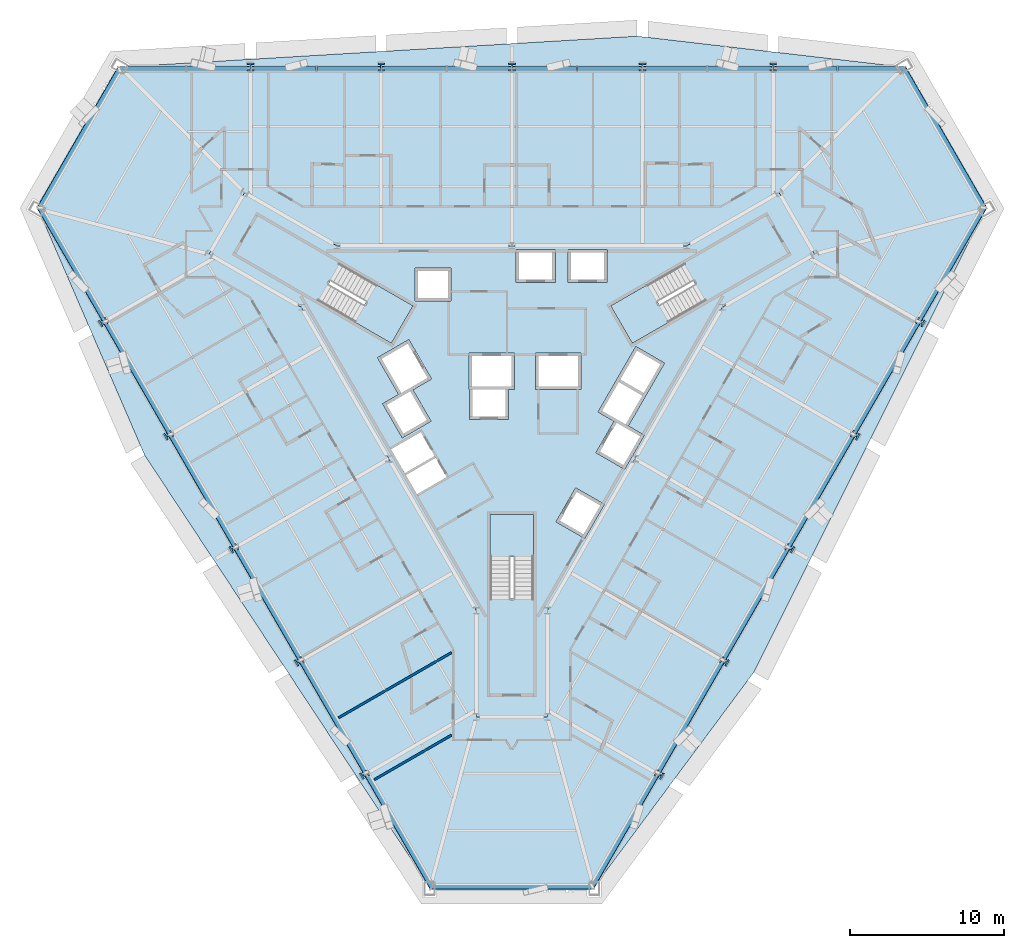
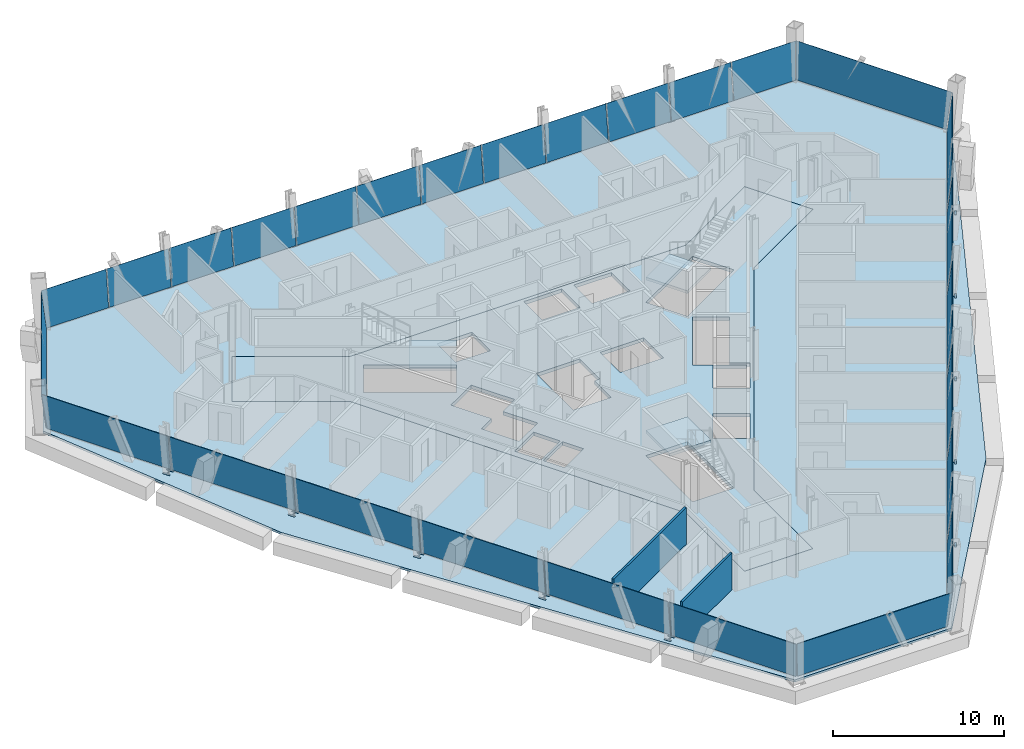
# One storey, part 7 of 15: 27 plates, 15 members, 5 slabs, 2 walls, 9 elements without a shape of their own.
"""IFC4 building model written with IfcOpenShell, lengths in metres."""

from ifc_helpers import new_model, si_unit, direction, frame, frame_2d, origin, origin_2d, place, context, subcontext, project, spatial, polyline, rectangle, i_section, outline, extrude, material, layer, layer_set, material_profile, profile_set, type_object, element, aggregate, save


model = new_model("IFC4")

# Units and contexts
model_context = context("Model", 3, precision=1e-05, world=origin(), true_north=direction((0.0, 1.0)))
body_context = subcontext(model_context, "Body", "Model", "MODEL_VIEW")
ifc_project = project(units=[si_unit("LENGTHUNIT", "METRE"), si_unit("AREAUNIT", "SQUARE_METRE"), si_unit("VOLUMEUNIT", "CUBIC_METRE"), si_unit("PLANEANGLEUNIT", "RADIAN"), si_unit("MASSUNIT", "GRAM", prefix="KILO")], contexts=[model_context])

# Site, building, storey
site_placement = place(None, origin())
site = spatial("IfcSite", under=ifc_project, at=site_placement, CompositionType="ELEMENT")
building_placement = place(site_placement, origin())
building = spatial("IfcBuilding", under=site, at=building_placement, Name="Verrane Prism Tower", CompositionType="ELEMENT")
storey_placement = place(building_placement, frame((0.0, 0.0, 44.0)))
storey = spatial("IfcBuildingStorey", under=building, at=storey_placement, Name="L08", CompositionType="ELEMENT", Elevation=44.0)

# Members
ifc_material_1 = material(Name="Steel A992", Category="steel")
ifc_material_profile = material_profile(ifc_material_1, i_section(OverallWidth=0.44189453125, OverallDepth=0.53076171875, WebThickness=0.06591796875, FlangeThickness=0.105712890625, FilletRadius=0.01513671875, at=origin_2d()), Name="W14x605")
ifc_profile_set = profile_set([ifc_material_profile], Name="Steel A992")
member_type = type_object("IfcMemberType", Name="Kink node W14x605", PredefinedType="COLLAR", material=ifc_profile_set)
for number, where, z_axis, x_axis, name in (
    (1, (16.92041015625, 20.77099609375, -0.02490234375), (0.0, 0.0, 1.0), (1.0, 0.0, 0.0), "Kink node PC2 L08"),
    (2, (8.460205078125, 20.77099609375, -0.02490234375), (0.0, 0.0, 1.0), (1.0, 0.0, 0.0), "Kink node PC2 L08"),
    (3, (0.0, 20.77099609375, -0.02490234375), (0.0, 0.0, 1.0), (1.0, 0.0, 0.0), "Kink node PC2 L08"),
    (4, (-8.460205078125, 20.77099609375, -0.02490234375), (0.0, 0.0, 1.0), (1.0, 0.0, 0.0), "Kink node PC2 L08"),
    (5, (-16.92041015625, 20.77099609375, -0.02490234375), (0.0, 0.0, 1.0), (1.0, 0.0, 0.0), "Kink node PC2 L08"),
    (6, (9.53076171875, -25.040771484375, -0.02490234375), (0.0, 0.0, 1.0), (-0.5, -0.866025403784, 0.0), "Kink node PC2 L08"),
    (7, (13.7607421875, -17.710693359375, -0.02490234375), (0.0, 0.0, 1.0), (-0.5, -0.866025403784, 0.0), "Kink node PC2 L08"),
    (8, (17.990966796875, -10.380615234375, -0.02490234375), (0.0, 0.0, 1.0), (-0.5, -0.866025403784, 0.0), "Kink node PC2 L08"),
    (9, (22.220947265625, -3.060302734375, -0.02490234375), (0.0, 0.0, 1.0), (-0.5, -0.866025403784, 0.0), "Kink node PC2 L08"),
    (10, (26.451171875, 4.269775390625, -0.02490234375), (0.0, 0.0, 1.0), (-0.5, -0.866025403784, 0.0), "Kink node PC2 L08"),
    (11, (-26.451171875, 4.269775390625, -0.02490234375), (0.0, 0.0, 1.0), (-0.5, 0.866025403784, 0.0), "Kink node PC2 L08"),
    (12, (-22.220947265625, -3.060302734375, -0.02490234375), (0.0, 0.0, 1.0), (-0.5, 0.866025403784, 0.0), "Kink node PC2 L08"),
    (13, (-17.990966796875, -10.380615234375, -0.02490234375), (0.0, 0.0, 1.0), (-0.5, 0.866025403784, 0.0), "Kink node PC2 L08"),
    (14, (-13.7607421875, -17.710693359375, -0.02490234375), (0.0, 0.0, 1.0), (-0.5, 0.866025403784, 0.0), "Kink node PC2 L08"),
    (15, (-9.53076171875, -25.040771484375, -0.02490234375), (0.0, 0.0, 1.0), (-0.5, 0.866025403784, 0.0), "Kink node PC2 L08"),
):
    element("IfcMember", number, at=place(storey_placement, frame(where, z_axis=z_axis, x_axis=x_axis)), inside=storey, type_object=member_type, Name=name, PredefinedType="COLLAR", context=body_context, shape_type="SweptSolid", body=[
        extrude(i_section(OverallWidth=0.44189453125, OverallDepth=0.53076171875, WebThickness=0.06591796875, FlangeThickness=0.105712890625, FilletRadius=0.01513671875, at=origin_2d()), origin(), (0.0, 0.0, 1.0), 0.0498046875),
    ])

# Slabs
ifc_material_2 = material(Name="Concrete C35/45", Category="concrete")
ifc_layer_1 = layer(ifc_material_2, 0.159912109375)
ifc_layer_set_1 = layer_set([ifc_layer_1], Name="Composite floor slab")
slab_type_1 = type_object("IfcSlabType", Name="Composite floor slab", PredefinedType="FLOOR", material=ifc_layer_set_1)
slab_1_placement = place(storey_placement, frame((0.0, 0.0, -0.159912109375)))
element("IfcSlab", 16, at=slab_1_placement, inside=storey, type_object=slab_type_1, Name="Floor slab L08", PredefinedType="FLOOR", context=body_context, shape_type="SweptSolid", body=[
    extrude(outline(polyline([(15.659423828125, -18.4169921875), (5.300048828125, -32.360107421875), (-5.300048828125, -32.360107421875), (-23.779296875, -4.35302734375), (-30.6748046875, 11.590087890625), (-25.374755859375, 20.77001953125), (8.119873046875, 22.77001953125), (25.374755859375, 20.77001953125), (30.6748046875, 11.590087890625), (15.659423828125, -18.4169921875)]), holes=[polyline([(19.60009765625, 8.659912109375), (17.300048828125, 12.639892578125), (11.330078125, 9.199951171875), (0.0, 9.199951171875), (-11.330078125, 9.199951171875), (-17.300048828125, 12.639892578125), (-19.60009765625, 8.659912109375), (-13.6298828125, 5.219970703125), (-7.969970703125, -4.60009765625), (-2.300048828125, -14.419921875), (-2.300048828125, -21.300048828125), (2.300048828125, -21.300048828125), (2.300048828125, -14.419921875), (7.969970703125, -4.60009765625), (13.6298828125, 5.219970703125), (19.60009765625, 8.659912109375)])]), origin(), (0.0, 0.0, 1.0), 0.159912109375),
])
ifc_material_3 = material(Name="Concrete C40/50", Category="concrete")
ifc_layer_2 = layer(ifc_material_3, 0.25)
ifc_layer_set_2 = layer_set([ifc_layer_2], Name="Core floor slab 250 concrete C40/50")
slab_type_2 = type_object("IfcSlabType", Name="Core floor slab 250 concrete C40/50", PredefinedType="FLOOR", material=ifc_layer_set_2)
slab_2_placement = place(storey_placement, frame((0.0, 0.0, -0.25)))
element("IfcSlab", 17, at=slab_2_placement, inside=storey, type_object=slab_type_2, Name="Core floor L08", PredefinedType="FLOOR", context=body_context, shape_type="SweptSolid", body=[
    extrude(outline(polyline([(13.6298828125, 5.219970703125), (19.60009765625, 8.659912109375), (17.300048828125, 12.639892578125), (11.330078125, 9.199951171875), (0.0, 9.199951171875), (-11.330078125, 9.199951171875), (-17.300048828125, 12.639892578125), (-19.60009765625, 8.659912109375), (-13.6298828125, 5.219970703125), (-7.969970703125, -4.60009765625), (-2.300048828125, -14.419921875), (-2.300048828125, -21.300048828125), (2.300048828125, -21.300048828125), (2.300048828125, -14.419921875), (7.969970703125, -4.60009765625), (13.6298828125, 5.219970703125)]), holes=[polyline([(1.39990234375, -8.199951171875), (1.39990234375, -13.639892578125), (-1.39990234375, -13.639892578125), (-1.39990234375, -8.199951171875), (1.39990234375, -8.199951171875)]), polyline([(-4.215087890625, -5.77099609375), (-6.14208984375, -6.883056640625), (-6.85400390625, -5.64599609375), (-4.928955078125, -4.533935546875), (-4.215087890625, -5.77099609375)]), polyline([(-5.0029296875, -4.404052734375), (-6.929931640625, -5.51708984375), (-7.819091796875, -3.97705078125), (-5.89306640625, -2.864013671875), (-5.0029296875, -4.404052734375)]), polyline([(0.1650390625, 2.25), (0.1650390625, -0.10009765625), (-0.205078125, -0.10009765625), (-0.205078125, -2.050048828125), (-2.7548828125, -2.050048828125), (-2.7548828125, -0.10009765625), (-2.784912109375, -0.10009765625), (-2.784912109375, 2.25), (0.1650390625, 2.25)]), polyline([(-12.512939453125, 5.60791015625), (-11.113037109375, 8.031982421875), (-6.40087890625, 5.31201171875), (-7.801025390625, 2.887939453125), (-12.512939453125, 5.60791015625)]), polyline([(-6.284912109375, 5.610107421875), (-6.284912109375, 7.760009765625), (-3.93505859375, 7.760009765625), (-3.93505859375, 5.610107421875), (-6.284912109375, 5.610107421875)]), polyline([(4.717041015625, -9.75), (2.85498046875, -8.675048828125), (4.1298828125, -6.466064453125), (5.991943359375, -7.541015625), (4.717041015625, -9.75)]), polyline([(8.303955078125, -3.136962890625), (5.575927734375, -1.56201171875), (8.02587890625, 2.680908203125), (9.887939453125, 1.60595703125), (7.5380859375, -2.464111328125), (8.576904296875, -3.06396484375), (7.302001953125, -5.27197265625), (5.43994140625, -4.197021484375), (6.614990234375, -2.162109375), (8.303955078125, -3.136962890625)]), polyline([(1.52490234375, -0.10009765625), (1.52490234375, 2.25), (4.47509765625, 2.25), (4.47509765625, -0.10009765625), (1.52490234375, -0.10009765625)]), polyline([(6.40087890625, 5.31201171875), (11.113037109375, 8.031982421875), (12.512939453125, 5.60791015625), (7.801025390625, 2.887939453125), (6.40087890625, 5.31201171875)]), polyline([(0.264892578125, 6.81005859375), (0.264892578125, 8.9599609375), (2.81494140625, 8.9599609375), (2.81494140625, 6.81005859375), (0.264892578125, 6.81005859375)]), polyline([(3.625, 6.81005859375), (3.625, 8.9599609375), (6.175048828125, 8.9599609375), (6.175048828125, 6.81005859375), (3.625, 6.81005859375)]), polyline([(-5.23095703125, -2.159912109375), (-7.093017578125, -3.235107421875), (-8.367919921875, -1.02587890625), (-7.3291015625, -0.426025390625), (-8.7041015625, 1.955078125), (-6.66796875, 3.1298828125), (-5.193115234375, 0.574951171875), (-6.406005859375, -0.125), (-5.23095703125, -2.159912109375)])]), origin(), (0.0, 0.0, 1.0), 0.25),
])

# Curtain wall, plates
ifc_material_4 = material(Name="Aluminium framed insulated glazing", Category="aluminium")
curtain_wall_type_1 = type_object("IfcCurtainWallType", Name="Curtain wall CW-C 4200 module", PredefinedType="NOTDEFINED", material=ifc_material_4)
curtain_wall_1_placement = place(storey_placement, origin())
curtain_wall_1 = element("IfcCurtainWall", 18, at=curtain_wall_1_placement, inside=storey, type_object=curtain_wall_type_1, Name="Glazed curtain wall north face L08", PredefinedType="NOTDEFINED")
ifc_material_5 = material(Name="Low-iron insulating glass unit", Category="glass")
ifc_layer_3 = layer(ifc_material_5, 0.02392578125)
ifc_layer_set_3 = layer_set([ifc_layer_3], Name="Glazing panel IGU 24")
plate_type_1 = type_object("IfcPlateType", Name="Glazing panel IGU 24", PredefinedType="CURTAIN_PANEL", material=ifc_layer_set_3)
plate_1_placement = place(storey_placement, frame((25.251708984375, 20.490966796875, 0.050048828125), z_axis=(0.0, -0.993215681756, 0.116286755538), x_axis=(-1.0, 0.0, 0.0)))
plate_1 = element("IfcPlate", 19, at=plate_1_placement, type_object=plate_type_1, Name="CW06.2 panel 1", PredefinedType="CURTAIN_PANEL", context=body_context, shape_type="SweptSolid", body=[
    extrude(outline(polyline([(0.0, 0.0), (4.14208984375, 0.0), (4.14208984375, -2.5802493735232175), (-0.198486328125, -2.5802493735232175), (0.0, 0.0)])), origin(), (0.0, 0.0, -1.0), 0.02392578125),
])
plate_2_placement = place(storey_placement, frame((21.0595703125, 20.490966796875, 0.050048828125), z_axis=(0.0, -0.993215681756, 0.116286755538), x_axis=(-1.0, 0.0, 0.0)))
plate_2 = element("IfcPlate", 20, at=plate_2_placement, type_object=plate_type_1, Name="CW06.2 panel 2", PredefinedType="CURTAIN_PANEL", context=body_context, shape_type="SweptSolid", body=[
    extrude(outline(polyline([(0.0, 0.0), (4.166748046875, 0.0), (4.166748046875, -2.5802493735232175), (0.0, -2.5802493735232175), (0.0, 0.0)])), origin(), (0.0, 0.0, -1.0), 0.02392578125),
])
plate_3_placement = place(storey_placement, frame((16.8427734375, 20.490966796875, 0.050048828125), z_axis=(0.0, -0.993215681756, 0.116286755538), x_axis=(-1.0, 0.0, 0.0)))
plate_3 = element("IfcPlate", 21, at=plate_3_placement, type_object=plate_type_1, Name="CW06.2 panel 3", PredefinedType="CURTAIN_PANEL", context=body_context, shape_type="SweptSolid", body=[
    extrude(outline(polyline([(0.0, 0.0), (4.1669921875, 0.0), (4.1669921875, -2.5802493735232175), (0.0, -2.5802493735232175), (0.0, 0.0)])), origin(), (0.0, 0.0, -1.0), 0.02392578125),
])
plate_4_placement = place(storey_placement, frame((12.625732421875, 20.490966796875, 0.050048828125), z_axis=(0.0, -0.993215681756, 0.116286755538), x_axis=(-1.0, 0.0, 0.0)))
plate_4 = element("IfcPlate", 22, at=plate_4_placement, type_object=plate_type_1, Name="CW06.2 panel 4", PredefinedType="CURTAIN_PANEL", context=body_context, shape_type="SweptSolid", body=[
    extrude(outline(polyline([(0.0, 0.0), (4.166748046875, 0.0), (4.166748046875, -2.5802493735232175), (0.0, -2.5802493735232175), (0.0, 0.0)])), origin(), (0.0, 0.0, -1.0), 0.02392578125),
])
plate_5_placement = place(storey_placement, frame((8.408935546875, 20.490966796875, 0.050048828125), z_axis=(0.0, -0.993215681756, 0.116286755538), x_axis=(-1.0, 0.0, 0.0)))
plate_5 = element("IfcPlate", 23, at=plate_5_placement, type_object=plate_type_1, Name="CW06.2 panel 5", PredefinedType="CURTAIN_PANEL", context=body_context, shape_type="SweptSolid", body=[
    extrude(outline(polyline([(0.0, 0.0), (4.1669921875, 0.0), (4.1669921875, -2.5802493735232175), (0.0, -2.5802493735232175), (0.0, 0.0)])), origin(), (0.0, 0.0, -1.0), 0.02392578125),
])
plate_6_placement = place(storey_placement, frame((4.19189453125, 20.490966796875, 0.050048828125), z_axis=(0.0, -0.993215681756, 0.116286755538), x_axis=(-1.0, 0.0, 0.0)))
plate_6 = element("IfcPlate", 24, at=plate_6_placement, type_object=plate_type_1, Name="CW06.2 panel 6", PredefinedType="CURTAIN_PANEL", context=body_context, shape_type="SweptSolid", body=[
    extrude(outline(polyline([(0.0, 0.0), (4.1669921875, 0.0), (4.1669921875, -2.5802493735232175), (0.0, -2.5802493735232175), (0.0, 0.0)])), origin(), (0.0, 0.0, -1.0), 0.02392578125),
])
plate_7_placement = place(storey_placement, frame((-0.02490234375, 20.490966796875, 0.050048828125), z_axis=(0.0, -0.993215681756, 0.116286755538), x_axis=(-1.0, 0.0, 0.0)))
plate_7 = element("IfcPlate", 25, at=plate_7_placement, type_object=plate_type_1, Name="CW06.2 panel 7", PredefinedType="CURTAIN_PANEL", context=body_context, shape_type="SweptSolid", body=[
    extrude(outline(polyline([(0.0, 0.0), (4.1669921875, 0.0), (4.1669921875, -2.5802493735232175), (0.0, -2.5802493735232175), (0.0, 0.0)])), origin(), (0.0, 0.0, -1.0), 0.02392578125),
])
plate_8_placement = place(storey_placement, frame((-4.241943359375, 20.490966796875, 0.050048828125), z_axis=(0.0, -0.993215681756, 0.116286755538), x_axis=(-1.0, 0.0, 0.0)))
plate_8 = element("IfcPlate", 26, at=plate_8_placement, type_object=plate_type_1, Name="CW06.2 panel 8", PredefinedType="CURTAIN_PANEL", context=body_context, shape_type="SweptSolid", body=[
    extrude(outline(polyline([(0.0, 0.0), (4.1669921875, 0.0), (4.1669921875, -2.5802493735232175), (0.0, -2.5802493735232175), (0.0, 0.0)])), origin(), (0.0, 0.0, -1.0), 0.02392578125),
])
plate_9_placement = place(storey_placement, frame((-8.458984375, 20.490966796875, 0.050048828125), z_axis=(0.0, -0.993215681756, 0.116286755538), x_axis=(-1.0, 0.0, 0.0)))
plate_9 = element("IfcPlate", 27, at=plate_9_placement, type_object=plate_type_1, Name="CW06.2 panel 9", PredefinedType="CURTAIN_PANEL", context=body_context, shape_type="SweptSolid", body=[
    extrude(outline(polyline([(0.0, 0.0), (4.166748046875, 0.0), (4.166748046875, -2.5802493735232175), (0.0, -2.5802493735232175), (0.0, 0.0)])), origin(), (0.0, 0.0, -1.0), 0.02392578125),
])
plate_10_placement = place(storey_placement, frame((-12.67578125, 20.490966796875, 0.050048828125), z_axis=(0.0, -0.993215681756, 0.116286755538), x_axis=(-1.0, 0.0, 0.0)))
plate_10 = element("IfcPlate", 28, at=plate_10_placement, type_object=plate_type_1, Name="CW06.2 panel 10", PredefinedType="CURTAIN_PANEL", context=body_context, shape_type="SweptSolid", body=[
    extrude(outline(polyline([(0.0, 0.0), (4.1669921875, 0.0), (4.1669921875, -2.5802493735232175), (0.0, -2.5802493735232175), (0.0, 0.0)])), origin(), (0.0, 0.0, -1.0), 0.02392578125),
])
plate_11_placement = place(storey_placement, frame((-16.892822265625, 20.490966796875, 0.050048828125), z_axis=(0.0, -0.993215681756, 0.116286755538), x_axis=(-1.0, 0.0, 0.0)))
plate_11 = element("IfcPlate", 29, at=plate_11_placement, type_object=plate_type_1, Name="CW06.2 panel 11", PredefinedType="CURTAIN_PANEL", context=body_context, shape_type="SweptSolid", body=[
    extrude(outline(polyline([(0.0, 0.0), (4.166748046875, 0.0), (4.166748046875, -2.5802493735232175), (0.0, -2.5802493735232175), (0.0, 0.0)])), origin(), (0.0, 0.0, -1.0), 0.02392578125),
])
plate_12_placement = place(storey_placement, frame((-21.109619140625, 20.490966796875, 0.050048828125), z_axis=(0.0, -0.993215681756, 0.116286755538), x_axis=(-1.0, 0.0, 0.0)))
plate_12 = element("IfcPlate", 30, at=plate_12_placement, type_object=plate_type_1, Name="CW06.2 panel 12", PredefinedType="CURTAIN_PANEL", context=body_context, shape_type="SweptSolid", body=[
    extrude(outline(polyline([(0.0, 0.0), (4.19189453125, 0.0), (4.365478515625, -2.5802493735232175), (0.0, -2.5802493735232175), (0.0, 0.0)])), origin(), (0.0, 0.0, -1.0), 0.02392578125),
])
aggregate(curtain_wall_1, [plate_1, plate_2, plate_3, plate_4, plate_5, plate_6, plate_7, plate_8, plate_9, plate_10, plate_11, plate_12])

# Curtain wall, plate
ifc_material_6 = material(Name="Aluminium framed insulated glazing", Category="aluminium")
curtain_wall_type_2 = type_object("IfcCurtainWallType", Name="Curtain wall CW-A 8400 module", PredefinedType="NOTDEFINED", material=ifc_material_6)
curtain_wall_2_placement = place(storey_placement, origin())
curtain_wall_2 = element("IfcCurtainWall", 31, at=curtain_wall_2_placement, inside=storey, type_object=curtain_wall_type_2, Name="Glazed curtain wall north-east corner L08", PredefinedType="NOTDEFINED")
ifc_material_7 = material(Name="Low-iron insulating glass unit", Category="glass")
ifc_layer_4 = layer(ifc_material_7, 0.031982421875)
ifc_layer_set_4 = layer_set([ifc_layer_4], Name="Glazing panel IGU 32")
plate_type_2 = type_object("IfcPlateType", Name="Glazing panel IGU 32", PredefinedType="CURTAIN_PANEL", material=ifc_layer_set_4)
plate_13_placement = place(storey_placement, frame((30.361572265625, 11.726806640625, 0.070068359375), z_axis=(-0.86004419869, -0.496541574567, 0.117347522456), x_axis=(-0.499996215287, 0.866027588877, -1.207737e-06)))
plate_13 = element("IfcPlate", 32, at=plate_13_placement, type_object=plate_type_2, Name="CW06.1 panel 1", PredefinedType="CURTAIN_PANEL", context=body_context, shape_type="SweptSolid", body=[
    extrude(outline(polyline([(0.0, 0.0), (10.120014634660121, 1.1102230246251565e-16), (10.292948722274504, -2.5604272584696086), (-0.20780329624359042, -2.5604021807497492), (0.0, 0.0)])), origin(), (0.0, 0.0, -1.0), 0.031982421875),
])
aggregate(curtain_wall_2, [plate_13])

curtain_wall_3_placement = place(storey_placement, origin())
curtain_wall_3 = element("IfcCurtainWall", 33, at=curtain_wall_3_placement, inside=storey, type_object=curtain_wall_type_2, Name="Glazed curtain wall north-west corner L08", PredefinedType="NOTDEFINED")
plate_14_placement = place(storey_placement, frame((-25.336669921875, 20.430419921875, 0.070068359375), z_axis=(0.860047609452, -0.496543543751, 0.117314187693), x_axis=(-0.499995966202, -0.866027732686, -1.22668e-06)))
plate_14 = element("IfcPlate", 34, at=plate_14_placement, type_object=plate_type_2, Name="CW06.3 panel 1", PredefinedType="CURTAIN_PANEL", context=body_context, shape_type="SweptSolid", body=[
    extrude(outline(polyline([(0.0, 0.0), (10.119892565302033, 0.0), (10.292805026402467, -2.560417300532047), (-0.20806906147323326, -2.5603918295660453), (0.0, 0.0)])), origin(), (0.0, 0.0, -1.0), 0.031982421875),
])
aggregate(curtain_wall_3, [plate_14])

# Curtain wall, plates
curtain_wall_4_placement = place(storey_placement, origin())
curtain_wall_4 = element("IfcCurtainWall", 35, at=curtain_wall_4_placement, inside=storey, type_object=curtain_wall_type_2, Name="Glazed curtain wall south-west face L08", PredefinedType="NOTDEFINED")
plate_15_placement = place(storey_placement, frame((-30.361572265625, 11.605712890625, 0.070068359375), z_axis=(0.860063534839, 0.49655983092, 0.117128349928), x_axis=(0.500001484457, -0.866024546731, -3.55593e-07)))
plate_15 = element("IfcPlate", 36, at=plate_15_placement, type_object=plate_type_2, Name="CW06.4 panel 1", PredefinedType="CURTAIN_PANEL", context=body_context, shape_type="SweptSolid", body=[
    extrude(outline(polyline([(0.0, 0.0), (8.329033338631717, 0.0), (8.328968345646045, -2.5603510163356793), (-0.20864868401206377, -2.560344977106456), (0.0, 0.0)])), origin(), (0.0, 0.0, -1.0), 0.031982421875),
])
plate_16_placement = place(storey_placement, frame((-26.162109375, 4.33203125, 0.070068359375), z_axis=(0.86006844874, 0.496549005982, 0.117138158342), x_axis=(0.499991130599, -0.866030524475, 0.0)))
plate_16 = element("IfcPlate", 37, at=plate_16_placement, type_object=plate_type_2, Name="CW06.4 panel 2", PredefinedType="CURTAIN_PANEL", context=body_context, shape_type="SweptSolid", body=[
    extrude(outline(polyline([(0.0, 0.0), (8.36391789713798, 0.0), (8.363857393981402, -2.5603510165705794), (-6.050315657882277e-05, -2.5603510165705794), (0.0, 0.0)])), origin(), (0.0, 0.0, -1.0), 0.031982421875),
])
plate_17_placement = place(storey_placement, frame((-21.945068359375, -2.971923828125, 0.070068359375), z_axis=(0.860062423345, 0.496553895528, 0.117161669442), x_axis=(0.499997537108, -0.866026825731, -8.49109e-07)))
plate_17 = element("IfcPlate", 38, at=plate_17_placement, type_object=plate_type_2, Name="CW06.4 panel 3", PredefinedType="CURTAIN_PANEL", context=body_context, shape_type="SweptSolid", body=[
    extrude(outline(polyline([(0.0, 0.0), (8.36370646457561, -5.551115123125783e-17), (8.36385301605903, -2.560365317815332), (-6.488084708018681e-05, -2.5603510157458857), (0.0, 0.0)])), origin(), (0.0, 0.0, -1.0), 0.031982421875),
])
plate_18_placement = place(storey_placement, frame((-17.728271484375, -10.27587890625, 0.070068359375), z_axis=(0.860062423345, 0.496553895528, 0.117161669442), x_axis=(0.499997537108, -0.866026825731, -8.49109e-07)))
plate_18 = element("IfcPlate", 39, at=plate_18_placement, type_object=plate_type_2, Name="CW06.4 panel 4", PredefinedType="CURTAIN_PANEL", context=body_context, shape_type="SweptSolid", body=[
    extrude(outline(polyline([(0.0, 0.0), (8.36370646457561, -5.551115123125783e-17), (8.36385301605903, -2.560365317815332), (-6.488084708018681e-05, -2.5603510157458857), (0.0, 0.0)])), origin(), (0.0, 0.0, -1.0), 0.031982421875),
])
plate_19_placement = place(storey_placement, frame((-13.51123046875, -17.579833984375, 0.070068359375), z_axis=(0.860062423345, 0.496553895528, 0.117161669442), x_axis=(0.499997537108, -0.866026825731, -8.49109e-07)))
plate_19 = element("IfcPlate", 40, at=plate_19_placement, type_object=plate_type_2, Name="CW06.4 panel 5", PredefinedType="CURTAIN_PANEL", context=body_context, shape_type="SweptSolid", body=[
    extrude(outline(polyline([(0.0, 0.0), (8.36370646457561, -5.551115123125783e-17), (8.36385301605903, -2.560365317815332), (-6.488084708018681e-05, -2.5603510157458857), (0.0, 0.0)])), origin(), (0.0, 0.0, -1.0), 0.031982421875),
])
plate_20_placement = place(storey_placement, frame((-9.29443359375, -24.8837890625, 0.070068359375), z_axis=(0.860056593877, 0.49656728443, 0.117147715992), x_axis=(0.500010138473, -0.866019550255, -3.43714e-07)))
plate_20 = element("IfcPlate", 41, at=plate_20_placement, type_object=plate_type_2, Name="CW06.4 panel 6", PredefinedType="CURTAIN_PANEL", context=body_context, shape_type="SweptSolid", body=[
    extrude(outline(polyline([(0.0, 0.0), (8.39871309401241, 5.551115123125783e-17), (8.572555698638654, -2.560356889986424), (-6.795977898123144e-05, -2.5603510162649323), (0.0, 0.0)])), origin(), (0.0, 0.0, -1.0), 0.031982421875),
])
aggregate(curtain_wall_4, [plate_15, plate_16, plate_17, plate_18, plate_19, plate_20])

# Curtain wall, plate
curtain_wall_5_placement = place(storey_placement, origin())
curtain_wall_5 = element("IfcCurtainWall", 42, at=curtain_wall_5_placement, inside=storey, type_object=curtain_wall_type_2, Name="Glazed curtain wall south corner L08", PredefinedType="NOTDEFINED")
plate_21_placement = place(storey_placement, frame((-5.02490234375, -32.1572265625, 0.070068359375), z_axis=(0.0, 0.99308732549, 0.117377868236), x_axis=(1.0, 0.0, 0.0)))
plate_21 = element("IfcPlate", 43, at=plate_21_placement, type_object=plate_type_2, Name="CW06.5 panel 1", PredefinedType="CURTAIN_PANEL", context=body_context, shape_type="SweptSolid", body=[
    extrude(outline(polyline([(0.0, 0.0), (10.119873046875, 0.0), (10.292724609375, -2.560423987005419), (-0.2080078125, -2.560423987005419), (0.0, 0.0)])), origin(), (0.0, 0.0, -1.0), 0.031982421875),
])
aggregate(curtain_wall_5, [plate_21])

# Curtain wall, plates
curtain_wall_6_placement = place(storey_placement, origin())
curtain_wall_6 = element("IfcCurtainWall", 44, at=curtain_wall_6_placement, inside=storey, type_object=curtain_wall_type_2, Name="Glazed curtain wall south-east face L08", PredefinedType="NOTDEFINED")
plate_22_placement = place(storey_placement, frame((5.1298828125, -32.0966796875, 0.070068359375), z_axis=(-0.860055505433, 0.496563494696, 0.117171768401), x_axis=(0.500007840524, 0.866020877007, 1.219033e-06)))
plate_22 = element("IfcPlate", 45, at=plate_22_placement, type_object=plate_type_2, Name="CW06.6 panel 1", PredefinedType="CURTAIN_PANEL", context=body_context, shape_type="SweptSolid", body=[
    extrude(outline(polyline([(0.0, 0.0), (8.32882190770786, -1.1102230246251565e-16), (8.328891297370724, -2.560351014878864), (-0.2087257318621354, -2.5603717182278416), (0.0, 0.0)])), origin(), (0.0, 0.0, -1.0), 0.031982421875),
])
plate_23_placement = place(storey_placement, frame((9.329345703125, -24.822998046875, 0.070068359375), z_axis=(-0.860062423345, 0.496553895528, 0.117161669442), x_axis=(0.499997537108, 0.866026825731, 8.49109e-07)))
plate_23 = element("IfcPlate", 46, at=plate_23_placement, type_object=plate_type_2, Name="CW06.6 panel 2", PredefinedType="CURTAIN_PANEL", context=body_context, shape_type="SweptSolid", body=[
    extrude(outline(polyline([(0.0, 0.0), (8.36370646457561, 5.551115123125783e-17), (8.36377134542269, -2.5603510157458857), (-0.00014655148342050694, -2.560365317815332), (0.0, 0.0)])), origin(), (0.0, 0.0, -1.0), 0.031982421875),
])
plate_24_placement = place(storey_placement, frame((13.54638671875, -17.51904296875, 0.070068359375), z_axis=(-0.860062423345, 0.496553895528, 0.117161669442), x_axis=(0.499997537108, 0.866026825731, 8.49109e-07)))
plate_24 = element("IfcPlate", 47, at=plate_24_placement, type_object=plate_type_2, Name="CW06.6 panel 3", PredefinedType="CURTAIN_PANEL", context=body_context, shape_type="SweptSolid", body=[
    extrude(outline(polyline([(0.0, 0.0), (8.36370646457561, 5.551115123125783e-17), (8.36377134542269, -2.5603510157458857), (-0.00014655148342050694, -2.560365317815332), (0.0, 0.0)])), origin(), (0.0, 0.0, -1.0), 0.031982421875),
])
plate_25_placement = place(storey_placement, frame((17.76318359375, -10.215087890625, 0.070068359375), z_axis=(-0.860051985759, 0.496562363788, 0.117202391876), x_axis=(0.500008333016, 0.866020592661, -6.21784e-07)))
plate_25 = element("IfcPlate", 48, at=plate_25_placement, type_object=plate_type_2, Name="CW06.6 panel 4", PredefinedType="CURTAIN_PANEL", context=body_context, shape_type="SweptSolid", body=[
    extrude(outline(polyline([(0.0, 0.0), (8.363706464677556, 5.551115123125783e-17), (8.363893416553713, -2.5603757913797613), (-0.00014655127952532118, -2.560365318148363), (0.0, 0.0)])), origin(), (0.0, 0.0, -1.0), 0.031982421875),
])
plate_26_placement = place(storey_placement, frame((21.980224609375, -2.911376953125, 0.070068359375), z_axis=(-0.86006844874, 0.496549005982, 0.117138158342), x_axis=(0.499991130599, 0.866030524475, 0.0)))
plate_26 = element("IfcPlate", 49, at=plate_26_placement, type_object=plate_type_2, Name="CW06.6 panel 5", PredefinedType="CURTAIN_PANEL", context=body_context, shape_type="SweptSolid", body=[
    extrude(outline(polyline([(0.0, 0.0), (8.36391789713798, 0.0), (8.36397840029456, -2.5603510165705794), (6.050315657882277e-05, -2.5603510165705794), (0.0, 0.0)])), origin(), (0.0, 0.0, -1.0), 0.031982421875),
])
plate_27_placement = place(storey_placement, frame((26.197021484375, 4.392578125, 0.070068359375), z_axis=(-0.860059691917, 0.496560824751, 0.117152352351), x_axis=(0.500003822104, 0.86602319708, -5.10438e-07)))
plate_27 = element("IfcPlate", 50, at=plate_27_placement, type_object=plate_type_2, Name="CW06.6 panel 6", PredefinedType="CURTAIN_PANEL", context=body_context, shape_type="SweptSolid", body=[
    extrude(outline(polyline([(0.0, 0.0), (8.398924525054534, 0.0), (8.572687258835378, -2.5603597392309485), (6.36004628598428e-05, -2.5603510162339953), (0.0, 0.0)])), origin(), (0.0, 0.0, -1.0), 0.031982421875),
])
aggregate(curtain_wall_6, [plate_22, plate_23, plate_24, plate_25, plate_26, plate_27])

# Stair, slab
ifc_material_8 = material(Name="Concrete C40/50", Category="concrete")
stair_type = type_object("IfcStairType", Name="Exit stair 1300 dog-leg precast concrete C40/50", PredefinedType="HALF_TURN_STAIR", material=ifc_material_8)
stair_1_placement = place(storey_placement, origin())
stair_1 = element("IfcStair", 51, at=stair_1_placement, inside=storey, type_object=stair_type, Name="Stair 1 L08", PredefinedType="HALF_TURN_STAIR")
ifc_material_9 = material(Name="Concrete C40/50", Category="concrete")
ifc_layer_5 = layer(ifc_material_9, 0.199951171875)
ifc_layer_set_5 = layer_set([ifc_layer_5], Name="Stair landing 200 precast concrete C40/50")
slab_type_3 = type_object("IfcSlabType", Name="Stair landing 200 precast concrete C40/50", PredefinedType="LANDING", material=ifc_layer_set_5)
slab_3_placement = place(storey_placement, frame((0.0, 0.0, 1.60009765625)))
slab_3 = element("IfcSlab", 52, at=slab_3_placement, type_object=slab_type_3, Name="Stair 1 landing 1", PredefinedType="LANDING", context=body_context, shape_type="SweptSolid", body=[
    extrude(outline(polyline([(8.791748046875, 6.6923828125), (6.4013671875, 5.3125), (7.801513671875, 2.887451171875), (10.191650390625, 4.267578125), (8.791748046875, 6.6923828125)])), origin(), (0.0, 0.0, 1.0), 0.199951171875),
])
aggregate(stair_1, [slab_3])

stair_2_placement = place(storey_placement, origin())
stair_2 = element("IfcStair", 53, at=stair_2_placement, inside=storey, type_object=stair_type, Name="Stair 2 L08", PredefinedType="HALF_TURN_STAIR")
slab_4_placement = place(storey_placement, frame((0.0, 0.0, 1.60009765625)))
slab_4 = element("IfcSlab", 54, at=slab_4_placement, type_object=slab_type_3, Name="Stair 2 landing 1", PredefinedType="LANDING", context=body_context, shape_type="SweptSolid", body=[
    extrude(outline(polyline([(-10.191650390625, 4.267578125), (-7.801513671875, 2.887451171875), (-6.4013671875, 5.3125), (-8.791748046875, 6.6923828125), (-10.191650390625, 4.267578125)])), origin(), (0.0, 0.0, 1.0), 0.199951171875),
])
aggregate(stair_2, [slab_4])

stair_3_placement = place(storey_placement, origin())
stair_3 = element("IfcStair", 55, at=stair_3_placement, inside=storey, type_object=stair_type, Name="Stair 3 L08", PredefinedType="HALF_TURN_STAIR")
slab_5_placement = place(storey_placement, frame((0.0, 0.0, 1.60009765625)))
slab_5 = element("IfcSlab", 56, at=slab_5_placement, type_object=slab_type_3, Name="Stair 3 landing 1", PredefinedType="LANDING", context=body_context, shape_type="SweptSolid", body=[
    extrude(outline(polyline([(1.39990234375, -10.9599609375), (1.39990234375, -8.199951171875), (-1.39990234375, -8.199951171875), (-1.39990234375, -10.9599609375), (1.39990234375, -10.9599609375)])), origin(), (0.0, 0.0, 1.0), 0.199951171875),
])
aggregate(stair_3, [slab_5])

# Walls
ifc_material_10 = material(Name="Gypsum board partition", Category="other")
ifc_layer_6 = layer(ifc_material_10, 0.14990234375)
ifc_layer_set_6 = layer_set([ifc_layer_6], Name="PW-150 demising wall 1 h")
wall_type = type_object("IfcWallType", Name="PW-150 demising wall 1 h", PredefinedType="PARTITIONING", material=ifc_layer_set_6)
wall_1_placement = place(storey_placement, frame((-11.21875, -21.35791015625, 0.0), z_axis=(0.0, 0.0, 1.0), x_axis=(0.866084603656, 0.499897448793, 0.0)))
element("IfcWall", 57, at=wall_1_placement, inside=storey, type_object=wall_type, Name="Demising wall 036", PredefinedType="PARTITIONING", context=body_context, shape_type="SweptSolid", body=[
    extrude(rectangle(XDim=8.453857421875, YDim=0.14990234375, at=frame_2d((4.22705078125, 0.0))), origin(), (0.0, 0.0, 1.0), 2.613037109375),
])
wall_2_placement = place(storey_placement, frame((-8.904541015625, -25.365966796875, 0.0), z_axis=(0.0, 0.0, 1.0), x_axis=(0.866025977343, 0.499999006567, 0.0)))
element("IfcWall", 58, at=wall_2_placement, inside=storey, type_object=wall_type, Name="Demising wall 041", PredefinedType="PARTITIONING", context=body_context, shape_type="SweptSolid", body=[
    extrude(rectangle(XDim=5.7822265625, YDim=0.14990234375, at=frame_2d((2.89111328125, 0.0))), origin(), (0.0, 0.0, 1.0), 2.613037109375),
])

save(model, "model.ifc")
